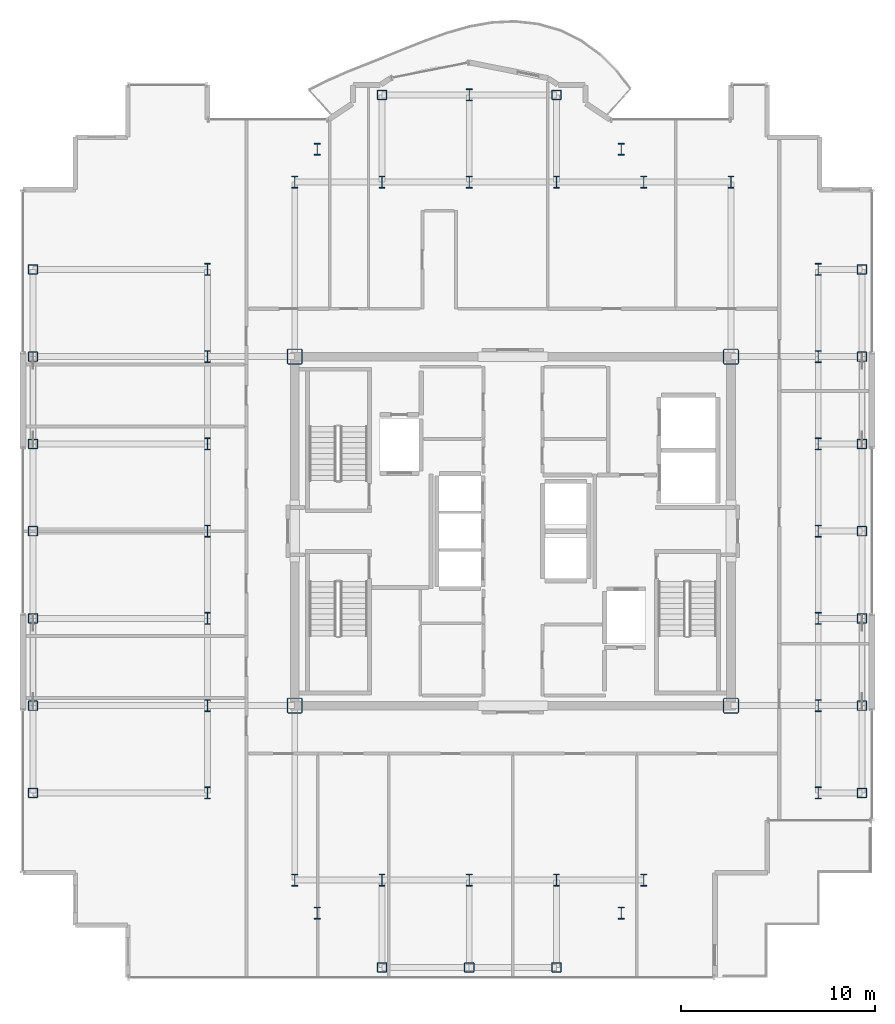
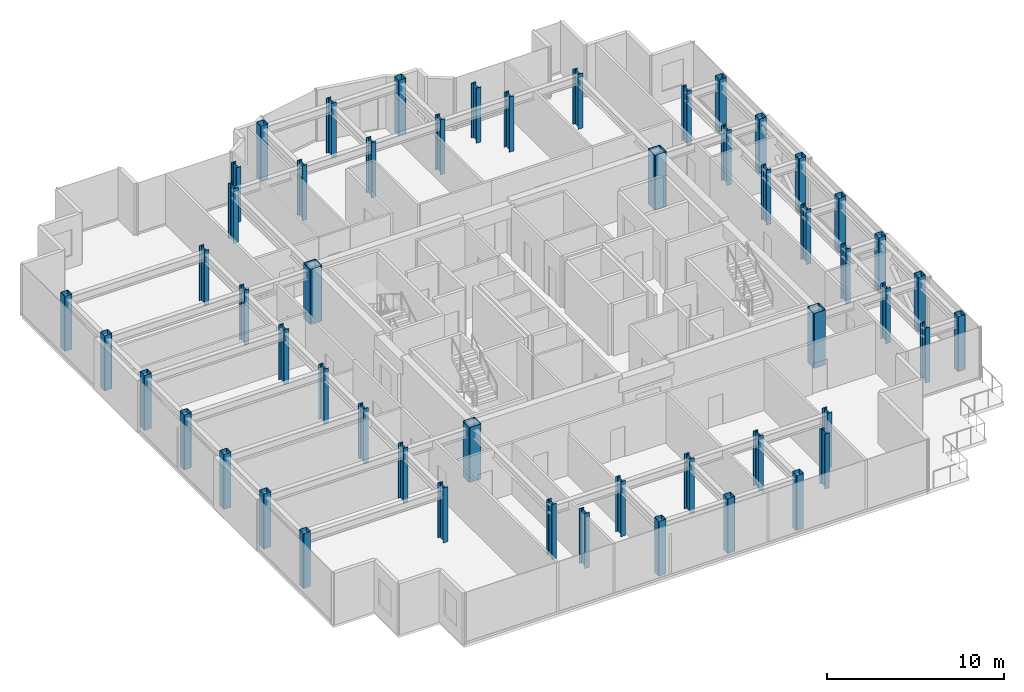
# One storey, part 1 of 18: 53 columns.
"""IFC4 building model written with IfcOpenShell, lengths in metres."""

from ifc_helpers import new_model, si_unit, direction, frame, origin, origin_2d, place, context, subcontext, project, spatial, hollow_rectangle, i_section, extrude, source, transform, mapped, material, material_profile, profile_set, type_object, element, save


model = new_model("IFC4")

# Units and contexts
model_context = context("Model", 3, precision=1e-05, world=origin(), true_north=direction((0.0, 1.0)))
body_context = subcontext(model_context, "Body", "Model", "MODEL_VIEW")
ifc_project = project(units=[si_unit("LENGTHUNIT", "METRE"), si_unit("AREAUNIT", "SQUARE_METRE"), si_unit("VOLUMEUNIT", "CUBIC_METRE"), si_unit("PLANEANGLEUNIT", "RADIAN"), si_unit("MASSUNIT", "GRAM", prefix="KILO")], contexts=[model_context])

# Site, building, storey
site_placement = place(None, origin())
site = spatial("IfcSite", under=ifc_project, at=site_placement, CompositionType="ELEMENT")
building_placement = place(site_placement, origin())
building = spatial("IfcBuilding", under=site, at=building_placement, Name="Nefas-Gora Pilgrimage Tower", CompositionType="ELEMENT")
storey_placement = place(building_placement, frame((0.0, 0.0, 298.800048828125)))
storey = spatial("IfcBuildingStorey", under=building, at=storey_placement, Name="L75", CompositionType="ELEMENT", Elevation=298.800048828125)

# Columns
ifc_material_1 = material(Name="Steel S460", Category="steel")
ifc_material_profile_1 = material_profile(ifc_material_1, hollow_rectangle(XDim=0.800048828125, YDim=0.800048828125, WallThickness=0.0400390625, InnerFilletRadius=0.0400390625, OuterFilletRadius=0.080078125, at=origin_2d()), Name="BOX 800x800x40")
ifc_profile_set_1 = profile_set([ifc_material_profile_1], Name="Steel S460")
column_type_1 = type_object("IfcColumnType", Name="COL-CORE-800", PredefinedType="COLUMN", material=ifc_profile_set_1)
shared_shape_1 = source(origin(), body_context, "Body", "SweptSolid", [
    extrude(hollow_rectangle(XDim=0.800048828125, YDim=0.800048828125, WallThickness=0.0400390625, InnerFilletRadius=0.0400390625, OuterFilletRadius=0.080078125, at=origin_2d()), origin(), (0.0, 0.0, 1.0), 3.800048828125),
])
for number, where, z_axis, x_axis, name in (
    (1, (-11.25, -9.0, 0.0), (0.0, 0.0, 1.0), (1.0, 0.0, 0.0), "L75 Tower Column CC-Z2.16"),
    (2, (-11.25, 9.0, 0.0), (0.0, 0.0, 1.0), (1.0, 0.0, 0.0), "L75 Tower Column CC-Z2.17"),
    (3, (11.25, -9.0, 0.0), (0.0, 0.0, 1.0), (1.0, 0.0, 0.0), "L75 Tower Column CC-Z2.37"),
    (4, (11.25, 9.0, 0.0), (0.0, 0.0, 1.0), (1.0, 0.0, 0.0), "L75 Tower Column CC-Z2.38"),
):
    element("IfcColumn", number, at=place(storey_placement, frame(where, z_axis=z_axis, x_axis=x_axis)), inside=storey, type_object=column_type_1, Name=name, PredefinedType="COLUMN", context=body_context, shape_type="MappedRepresentation", body=[
        mapped(shared_shape_1, transform((0.0, 0.0, 0.0), x_axis=(1.0, 0.0, 0.0), y_axis=(0.0, 1.0, 0.0), z_axis=(0.0, 0.0, 1.0), scale=1.0)),
    ])
ifc_material_2 = material(Name="Steel S355", Category="steel")
ifc_material_profile_2 = material_profile(ifc_material_2, i_section(OverallWidth=0.304931640625, OverallDepth=0.6201171875, WebThickness=0.02099609375, FlangeThickness=0.0400390625, FilletRadius=0.027099609375, at=origin_2d()), Name="HEM 600")
ifc_profile_set_2 = profile_set([ifc_material_profile_2], Name="Steel S355")
column_type_2 = type_object("IfcColumnType", Name="COL-WEB-HEM600", PredefinedType="COLUMN", material=ifc_profile_set_2)
shared_shape_2 = source(origin(), body_context, "Body", "SweptSolid", [
    extrude(i_section(OverallWidth=0.304931640625, OverallDepth=0.6201171875, WebThickness=0.02099609375, FlangeThickness=0.0400390625, FilletRadius=0.027099609375, at=origin_2d()), origin(), (0.0, 0.0, 1.0), 3.800048828125),
])
for number, where, z_axis, x_axis, name in (
    (5, (-15.75, -13.5, 0.0), (0.0, 0.0, 1.0), (1.0, 0.0, 0.0), "L75 Tower Column CW-03.8"),
    (6, (-15.75, -9.0, 0.0), (0.0, 0.0, 1.0), (1.0, 0.0, 0.0), "L75 Tower Column CW-03.9"),
    (7, (-15.75, -4.5, 0.0), (0.0, 0.0, 1.0), (1.0, 0.0, 0.0), "L75 Tower Column CW-03.10"),
    (8, (-15.75, 0.0, 0.0), (0.0, 0.0, 1.0), (1.0, 0.0, 0.0), "L75 Tower Column CW-03.11"),
    (9, (-15.75, 4.5, 0.0), (0.0, 0.0, 1.0), (1.0, 0.0, 0.0), "L75 Tower Column CW-03.12"),
    (10, (-15.75, 9.0, 0.0), (0.0, 0.0, 1.0), (1.0, 0.0, 0.0), "L75 Tower Column CW-03.13"),
    (11, (-15.75, 13.5, 0.0), (0.0, 0.0, 1.0), (1.0, 0.0, 0.0), "L75 Tower Column CW-03.14"),
    (12, (-11.25, -18.0, 0.0), (0.0, 0.0, 1.0), (1.0, 0.0, 0.0), "L75 Tower Column CW-03.15"),
    (13, (-11.25, 18.0, 0.0), (0.0, 0.0, 1.0), (1.0, 0.0, 0.0), "L75 Tower Column CW-03.18"),
    (14, (-10.091064453125, -19.696044921875, 0.0), (0.0, 0.0, 1.0), (1.0, 0.0, 0.0), "L75 Tower Column CW-03.19"),
    (15, (-10.091064453125, 19.696044921875, 0.0), (0.0, 0.0, 1.0), (1.0, 0.0, 0.0), "L75 Tower Column CW-03.20"),
    (16, (-6.75, -18.0, 0.0), (0.0, 0.0, 1.0), (1.0, 0.0, 0.0), "L75 Tower Column CW-03.22"),
    (17, (-6.75, 18.0, 0.0), (0.0, 0.0, 1.0), (1.0, 0.0, 0.0), "L75 Tower Column CW-03.23"),
    (18, (-2.25, -18.0, 0.0), (0.0, 0.0, 1.0), (1.0, 0.0, 0.0), "L75 Tower Column CW-03.26"),
    (19, (-2.25, 18.0, 0.0), (0.0, 0.0, 1.0), (1.0, 0.0, 0.0), "L75 Tower Column CW-03.27"),
    (20, (-2.25, 22.5, 0.0), (0.0, 0.0, 1.0), (1.0, 0.0, 0.0), "L75 Tower Column CW-03.28"),
    (21, (2.25, -18.0, 0.0), (0.0, 0.0, 1.0), (1.0, 0.0, 0.0), "L75 Tower Column CW-03.30"),
    (22, (2.25, 18.0, 0.0), (0.0, 0.0, 1.0), (1.0, 0.0, 0.0), "L75 Tower Column CW-03.31"),
    (23, (5.591064453125, -19.696044921875, 0.0), (0.0, 0.0, 1.0), (1.0, 0.0, 0.0), "L75 Tower Column CW-03.33"),
    (24, (5.591064453125, 19.696044921875, 0.0), (0.0, 0.0, 1.0), (1.0, 0.0, 0.0), "L75 Tower Column CW-03.34"),
    (25, (6.75, -18.0, 0.0), (0.0, 0.0, 1.0), (1.0, 0.0, 0.0), "L75 Tower Column CW-03.35"),
    (26, (6.75, 18.0, 0.0), (0.0, 0.0, 1.0), (1.0, 0.0, 0.0), "L75 Tower Column CW-03.36"),
    (27, (11.25, 18.0, 0.0), (0.0, 0.0, 1.0), (1.0, 0.0, 0.0), "L75 Tower Column CW-03.39"),
    (28, (15.75, -13.5, 0.0), (0.0, 0.0, 1.0), (1.0, 0.0, 0.0), "L75 Tower Column CW-03.40"),
    (29, (15.75, -9.0, 0.0), (0.0, 0.0, 1.0), (1.0, 0.0, 0.0), "L75 Tower Column CW-03.41"),
    (30, (15.75, -4.5, 0.0), (0.0, 0.0, 1.0), (1.0, 0.0, 0.0), "L75 Tower Column CW-03.42"),
    (31, (15.75, 0.0, 0.0), (0.0, 0.0, 1.0), (1.0, 0.0, 0.0), "L75 Tower Column CW-03.43"),
    (32, (15.75, 4.5, 0.0), (0.0, 0.0, 1.0), (1.0, 0.0, 0.0), "L75 Tower Column CW-03.44"),
    (33, (15.75, 9.0, 0.0), (0.0, 0.0, 1.0), (1.0, 0.0, 0.0), "L75 Tower Column CW-03.45"),
    (34, (15.75, 13.5, 0.0), (0.0, 0.0, 1.0), (1.0, 0.0, 0.0), "L75 Tower Column CW-03.46"),
):
    element("IfcColumn", number, at=place(storey_placement, frame(where, z_axis=z_axis, x_axis=x_axis)), inside=storey, type_object=column_type_2, Name=name, PredefinedType="COLUMN", context=body_context, shape_type="MappedRepresentation", body=[
        mapped(shared_shape_2, transform((0.0, 0.0, 0.0), x_axis=(1.0, 0.0, 0.0), y_axis=(0.0, 1.0, 0.0), z_axis=(0.0, 0.0, 1.0), scale=1.0)),
    ])
ifc_material_profile_3 = material_profile(ifc_material_2, hollow_rectangle(XDim=0.5, YDim=0.5, WallThickness=0.02490234375, InnerFilletRadius=0.02490234375, OuterFilletRadius=0.050048828125, at=origin_2d()), Name="SHS 500x500x25")
ifc_profile_set_3 = profile_set([ifc_material_profile_3], Name="Steel S355")
column_type_3 = type_object("IfcColumnType", Name="COL-TUBE-500", PredefinedType="COLUMN", material=ifc_profile_set_3)
shared_shape_3 = source(origin(), body_context, "Body", "SweptSolid", [
    extrude(hollow_rectangle(XDim=0.5, YDim=0.5, WallThickness=0.02490234375, InnerFilletRadius=0.02490234375, OuterFilletRadius=0.050048828125, at=origin_2d()), origin(), (0.0, 0.0, 1.0), 3.800048828125),
])
for number, where, z_axis, x_axis, name in (
    (35, (-24.75, -13.5, 0.0), (0.0, 0.0, 1.0), (1.0, 0.0, 0.0), "L75 Tower Column C-Z4.1"),
    (36, (-24.75, -9.0, 0.0), (0.0, 0.0, 1.0), (1.0, 0.0, 0.0), "L75 Tower Column C-Z4.2"),
    (37, (-24.75, -4.5, 0.0), (0.0, 0.0, 1.0), (1.0, 0.0, 0.0), "L75 Tower Column C-Z4.3"),
    (38, (-24.75, 0.0, 0.0), (0.0, 0.0, 1.0), (1.0, 0.0, 0.0), "L75 Tower Column C-Z4.4"),
    (39, (-24.75, 4.5, 0.0), (0.0, 0.0, 1.0), (1.0, 0.0, 0.0), "L75 Tower Column C-Z4.5"),
    (40, (-24.75, 9.0, 0.0), (0.0, 0.0, 1.0), (1.0, 0.0, 0.0), "L75 Tower Column C-Z4.6"),
    (41, (-24.75, 13.5, 0.0), (0.0, 0.0, 1.0), (1.0, 0.0, 0.0), "L75 Tower Column C-Z4.7"),
    (42, (-6.75, -22.5, 0.0), (0.0, 0.0, 1.0), (1.0, 0.0, 0.0), "L75 Tower Column C-Z4.21"),
    (43, (-6.75, 22.5, 0.0), (0.0, 0.0, 1.0), (1.0, 0.0, 0.0), "L75 Tower Column C-Z4.24"),
    (44, (-2.25, -22.5, 0.0), (0.0, 0.0, 1.0), (1.0, 0.0, 0.0), "L75 Tower Column C-Z4.25"),
    (45, (2.25, -22.5, 0.0), (0.0, 0.0, 1.0), (1.0, 0.0, 0.0), "L75 Tower Column C-Z4.29"),
    (46, (2.25, 22.5, 0.0), (0.0, 0.0, 1.0), (1.0, 0.0, 0.0), "L75 Tower Column C-Z4.32"),
    (47, (18.0, -13.5, 0.0), (0.0, 0.0, 1.0), (1.0, 0.0, 0.0), "L75 Tower Column C-Z4.47"),
    (48, (18.0, -9.0, 0.0), (0.0, 0.0, 1.0), (1.0, 0.0, 0.0), "L75 Tower Column C-Z4.48"),
    (49, (18.0, -4.5, 0.0), (0.0, 0.0, 1.0), (1.0, 0.0, 0.0), "L75 Tower Column C-Z4.49"),
    (50, (18.0, 0.0, 0.0), (0.0, 0.0, 1.0), (1.0, 0.0, 0.0), "L75 Tower Column C-Z4.50"),
    (51, (18.0, 4.5, 0.0), (0.0, 0.0, 1.0), (1.0, 0.0, 0.0), "L75 Tower Column C-Z4.51"),
    (52, (18.0, 9.0, 0.0), (0.0, 0.0, 1.0), (1.0, 0.0, 0.0), "L75 Tower Column C-Z4.52"),
    (53, (18.0, 13.5, 0.0), (0.0, 0.0, 1.0), (1.0, 0.0, 0.0), "L75 Tower Column C-Z4.53"),
):
    element("IfcColumn", number, at=place(storey_placement, frame(where, z_axis=z_axis, x_axis=x_axis)), inside=storey, type_object=column_type_3, Name=name, PredefinedType="COLUMN", context=body_context, shape_type="MappedRepresentation", body=[
        mapped(shared_shape_3, transform((0.0, 0.0, 0.0), x_axis=(1.0, 0.0, 0.0), y_axis=(0.0, 1.0, 0.0), z_axis=(0.0, 0.0, 1.0), scale=1.0)),
    ])

save(model, "model.ifc")
